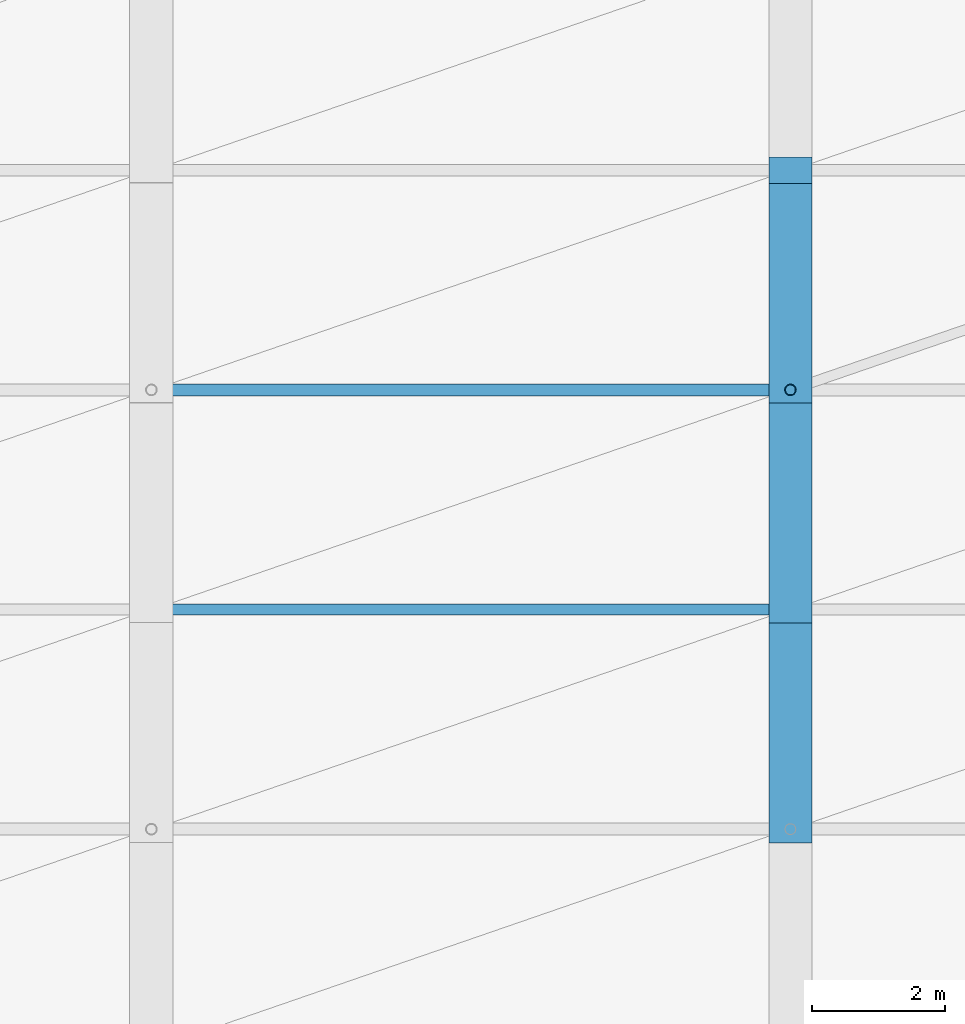
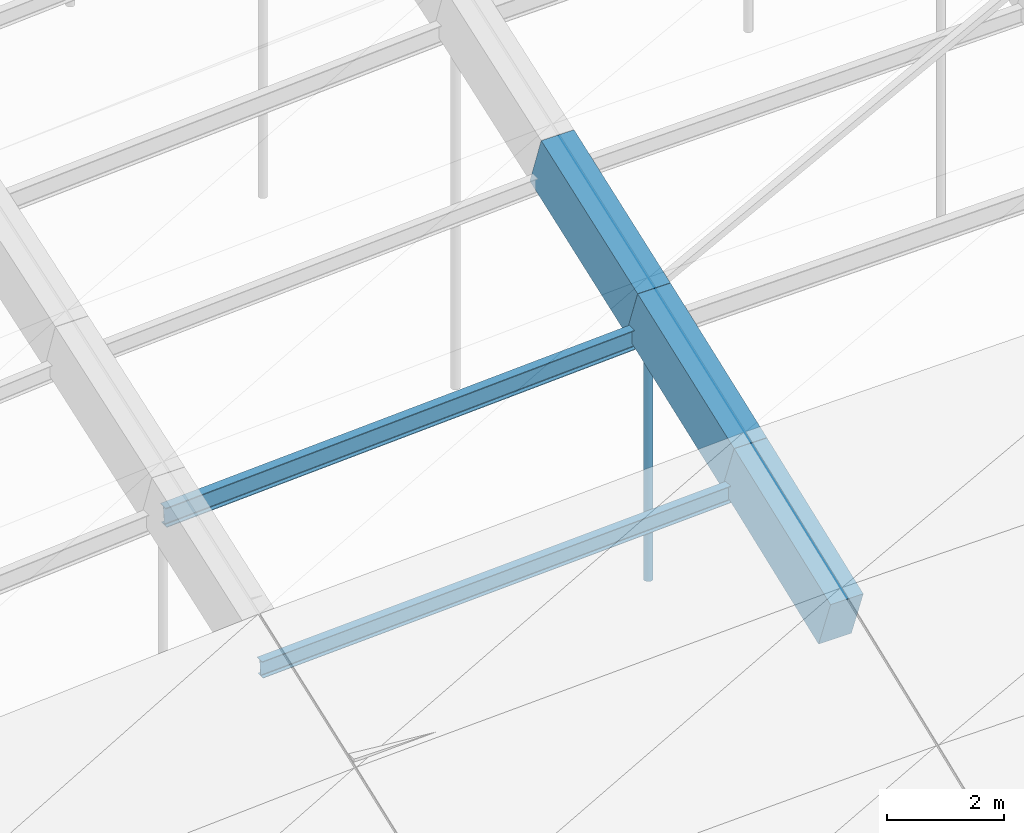
# One storey, part 5 of 43: 3 beams, 3 members.
"""IFC4 building model written with IfcOpenShell, lengths in metres."""

from ifc_helpers import new_model, si_unit, direction, frame, origin, origin_2d, place, context, subcontext, project, spatial, rectangle, hollow_circle, i_section, extrude, material, material_profile, profile_set, type_object, element, save


model = new_model("IFC4")

# Units and contexts
model_context = context("Model", 3, precision=1e-05, world=origin(), true_north=direction((0.0, 1.0)))
body_context = subcontext(model_context, "Body", "Model", "MODEL_VIEW")
ifc_project = project(units=[si_unit("LENGTHUNIT", "METRE"), si_unit("AREAUNIT", "SQUARE_METRE"), si_unit("VOLUMEUNIT", "CUBIC_METRE"), si_unit("PLANEANGLEUNIT", "RADIAN"), si_unit("MASSUNIT", "GRAM", prefix="KILO")], contexts=[model_context])

# Site, building, storey
site_placement = place(None, origin())
site = spatial("IfcSite", under=ifc_project, at=site_placement, CompositionType="ELEMENT")
building_placement = place(site_placement, origin())
building = spatial("IfcBuilding", under=site, at=building_placement, Name="Chalmorin Arch Market", CompositionType="ELEMENT")
storey_placement = place(building_placement, frame((0.0, 0.0, 18.60009765625)))
storey = spatial("IfcBuildingStorey", under=building, at=storey_placement, Name="RF", CompositionType="ELEMENT", Elevation=18.60009765625)

# Member
ifc_material_1 = material(Name="Steel A500 Grade C", Category="steel")
ifc_material_profile_1 = material_profile(ifc_material_1, hollow_circle(Radius=0.084228515625, WallThickness=0.007080078125, at=origin_2d()), Name="CHS168X7")
ifc_profile_set_1 = profile_set([ifc_material_profile_1], Name="Steel A500 Grade C")
member_type_1 = type_object("IfcMemberType", Name="ArchHangerTie-CHS168", PredefinedType="CHORD", material=ifc_profile_set_1)
member_1_placement = place(storey_placement, frame((76.800048828125, 19.199951171875, -2.552978515625), z_axis=(0.0, 0.0, 1.0), x_axis=(1.0, 0.0, 0.0)))
element("IfcMember", 1, at=member_1_placement, inside=storey, type_object=member_type_1, Name="HT-CH168-0150", PredefinedType="CHORD", context=body_context, shape_type="SweptSolid", body=[
    extrude(hollow_circle(Radius=0.084228515625, WallThickness=0.007080078125, at=origin_2d()), origin(), (0.0, 0.0, 1.0), 5.6513671875),
])

# Beams
ifc_material_2 = material(Name="Concrete C50/60", Category="concrete")
ifc_material_profile_2 = material_profile(ifc_material_2, rectangle(XDim=0.64990234375, YDim=1.14990234375, at=origin_2d()), Name="RC650X1150")
ifc_profile_set_2 = profile_set([ifc_material_profile_2], Name="Concrete C50/60")
beam_type = type_object("IfcBeamType", Name="ArchRibChord-650x1150", PredefinedType="BEAM", material=ifc_profile_set_2)
beam_1_placement = place(storey_placement, frame((76.800048828125, 12.60009765625, 0.6083984375), z_axis=(0.0, 0.934187393603, 0.356782726086), x_axis=(-1.0, 0.0, 0.0)))
element("IfcBeam", 2, at=beam_1_placement, inside=storey, type_object=beam_type, Name="AR-01-1644", PredefinedType="BEAM", context=body_context, shape_type="SweptSolid", body=[
    extrude(rectangle(XDim=0.64990234375, YDim=1.14990234375, at=origin_2d()), origin(), (0.0, 0.0, 1.0), 3.5322265625),
])
beam_2_placement = place(storey_placement, frame((76.800048828125, 15.89990234375, 1.86865234375), z_axis=(0.0, 0.937053651865, 0.349185414252), x_axis=(-1.0, 0.0, 0.0)))
element("IfcBeam", 3, at=beam_2_placement, inside=storey, type_object=beam_type, Name="AR-01-1645", PredefinedType="BEAM", context=body_context, shape_type="SweptSolid", body=[
    extrude(rectangle(XDim=0.64990234375, YDim=1.14990234375, at=origin_2d()), origin(), (0.0, 0.0, 1.0), 3.521728515625),
])
beam_3_placement = place(storey_placement, frame((76.800048828125, 19.199951171875, 3.098388671875), z_axis=(0.0, 0.939844165336, 0.341603490737), x_axis=(-1.0, 0.0, 0.0)))
element("IfcBeam", 4, at=beam_3_placement, inside=storey, type_object=beam_type, Name="AR-01-1646", PredefinedType="BEAM", context=body_context, shape_type="SweptSolid", body=[
    extrude(rectangle(XDim=0.64990234375, YDim=1.14990234375, at=origin_2d()), origin(), (0.0, 0.0, 1.0), 3.51123046875),
])

# Members
ifc_material_3 = material(Name="Steel A992 Grade 50", Category="steel")
ifc_material_profile_3 = material_profile(ifc_material_3, i_section(OverallWidth=0.1708984375, OverallDepth=0.35107421875, WebThickness=0.0068359375, FlangeThickness=0.009765625, FilletRadius=0.014892578125, at=origin_2d()), Name="W14X30")
ifc_profile_set_3 = profile_set([ifc_material_profile_3], Name="Steel A992 Grade 50")
member_type_2 = type_object("IfcMemberType", Name="RoofSteelPurlin-W14X30", PredefinedType="PURLIN", material=ifc_profile_set_3)
member_2_placement = place(storey_placement, frame((67.219970703125, 15.89990234375, 0.94482421875), z_axis=(0.998923992344, 0.0, 0.046377338426), x_axis=(0.0, 1.0, 0.0)))
element("IfcMember", 5, at=member_2_placement, inside=storey, type_object=member_type_2, Name="PR-W14-0225", PredefinedType="PURLIN", context=body_context, shape_type="SweptSolid", body=[
    extrude(i_section(OverallWidth=0.1708984375, OverallDepth=0.35107421875, WebThickness=0.0068359375, FlangeThickness=0.009765625, FilletRadius=0.014892578125, at=origin_2d()), origin(), (0.0, 0.0, 1.0), 9.5703125),
])
ifc_material_profile_4 = material_profile(ifc_material_3, i_section(OverallWidth=0.178955078125, OverallDepth=0.409912109375, WebThickness=0.0087890625, FlangeThickness=0.014404296875, FilletRadius=0.01806640625, at=origin_2d()), Name="W16X45")
ifc_profile_set_4 = profile_set([ifc_material_profile_4], Name="Steel A992 Grade 50")
member_type_3 = type_object("IfcMemberType", Name="RoofSteelPurlin-W16X45", PredefinedType="PURLIN", material=ifc_profile_set_4)
member_3_placement = place(storey_placement, frame((67.219970703125, 19.199951171875, 2.126708984375), z_axis=(0.998679959244, 0.0, 0.051364764235), x_axis=(0.0, 1.0, 0.0)))
element("IfcMember", 6, at=member_3_placement, inside=storey, type_object=member_type_3, Name="PR-W16-0226", PredefinedType="PURLIN", context=body_context, shape_type="SweptSolid", body=[
    extrude(i_section(OverallWidth=0.178955078125, OverallDepth=0.409912109375, WebThickness=0.0087890625, FlangeThickness=0.014404296875, FilletRadius=0.01806640625, at=origin_2d()), origin(), (0.0, 0.0, 1.0), 9.57275390625),
])

save(model, "model.ifc")
